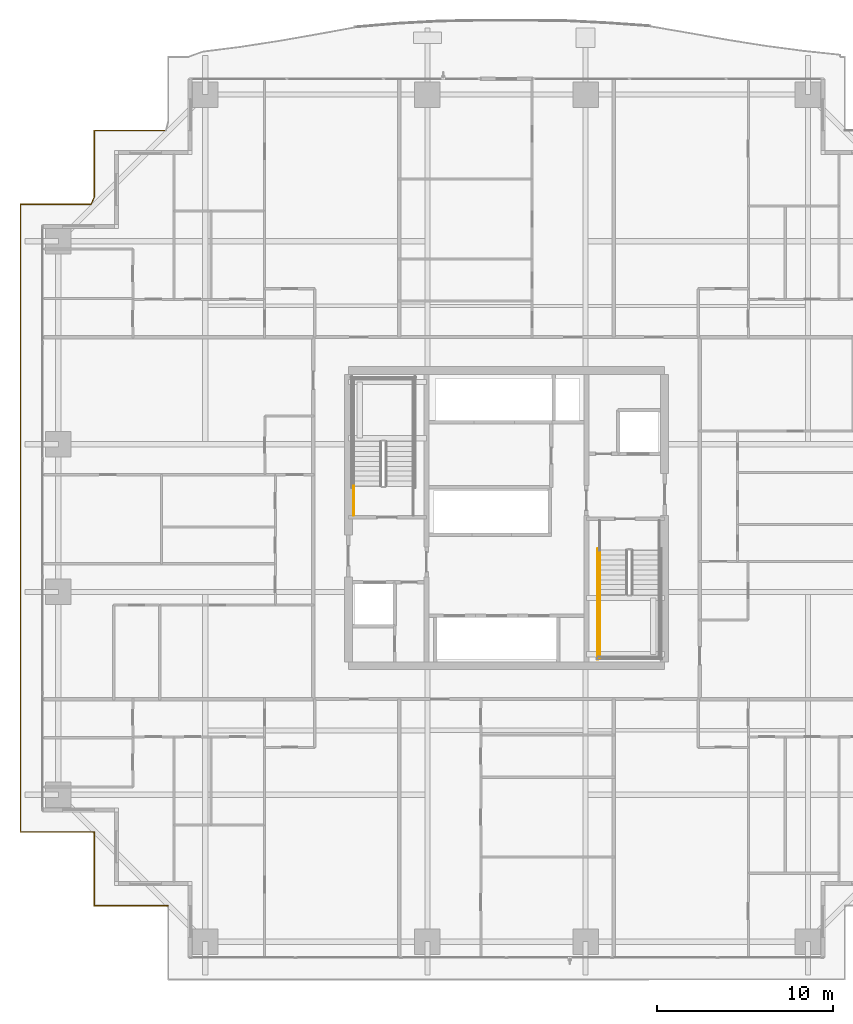
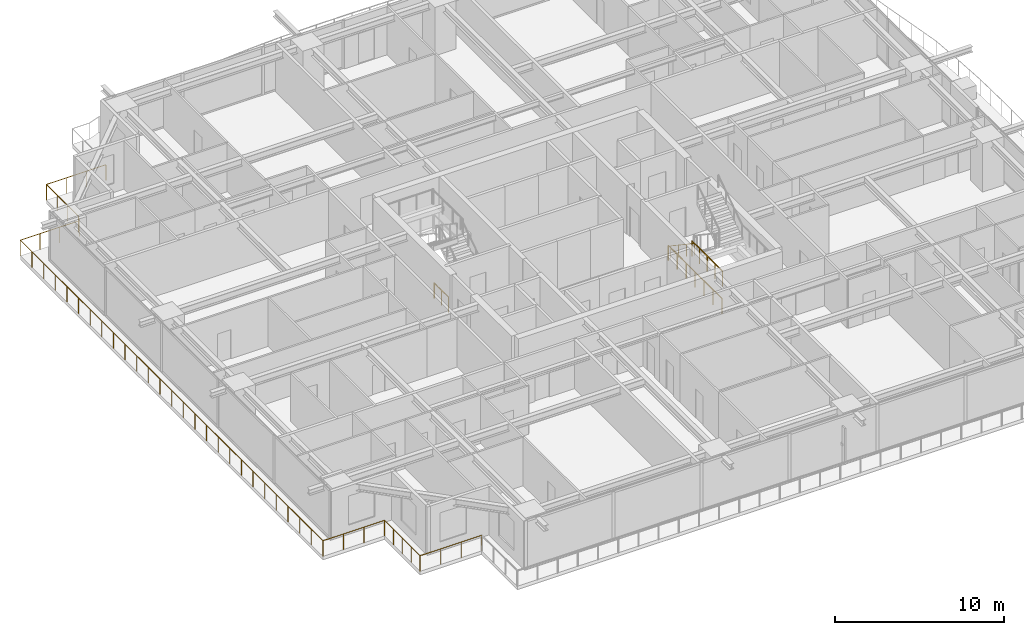
# One storey, part 34 of 38: 5 railings.
"""IFC4 building model written with IfcOpenShell, lengths in metres."""

from ifc_helpers import new_model, si_unit, direction, frame, origin, origin_2d, place, context, subcontext, project, spatial, circle, extrude, material, type_object, element, save


model = new_model("IFC4")

# Units and contexts
model_context = context("Model", 3, precision=1e-05, world=origin(), true_north=direction((0.0, 1.0)))
body_context = subcontext(model_context, "Body", "Model", "MODEL_VIEW")
ifc_project = project(units=[si_unit("LENGTHUNIT", "METRE"), si_unit("AREAUNIT", "SQUARE_METRE"), si_unit("VOLUMEUNIT", "CUBIC_METRE"), si_unit("PLANEANGLEUNIT", "RADIAN"), si_unit("MASSUNIT", "GRAM", prefix="KILO")], contexts=[model_context])

# Site, building, storey
site_placement = place(None, origin())
site = spatial("IfcSite", under=ifc_project, at=site_placement, CompositionType="ELEMENT")
building_placement = place(site_placement, origin())
building = spatial("IfcBuilding", under=site, at=building_placement, Name="Serunith Strait Residences", CompositionType="ELEMENT")
storey_placement = place(building_placement, frame((0.0, 0.0, 30.449951171875)))
storey = spatial("IfcBuildingStorey", under=building, at=storey_placement, Name="L06", CompositionType="ELEMENT", Elevation=30.449951171875)

# Railings
ifc_material_1 = material(Name="Stainless Steel & Laminated Glass Balustrade", Category="steel")
railing_type_1 = type_object("IfcRailingType", Name="RLG-BALC-1150", PredefinedType="BALUSTRADE", material=ifc_material_1)
railing_1_placement = place(storey_placement, frame((13.139892578125, 3.139892578125, -0.050048828125)))
element("IfcRailing", 1, at=railing_1_placement, inside=storey, type_object=railing_type_1, Name="L06 Swirling Balcony Perimeter Balustrade 8", PredefinedType="BALUSTRADE", context=body_context, shape_type="SweptSolid", body=[
    extrude(circle(Radius=0.02392578125, at=origin_2d()), frame((-0.001953125, 0.0, 1.1259765625), z_axis=(-1.0, 0.0, 0.0), x_axis=(0.0, -1.0, 0.0)), (0.0, 0.0, 1.0), 4.196044921875),
    extrude(circle(Radius=0.02392578125, at=origin_2d()), frame((-4.199951171875, 0.001953125, 1.1259765625), z_axis=(0.0, 1.0, 0.0), x_axis=(-1.0, 0.0, 0.0)), (0.0, 0.0, 1.0), 4.1962890625),
    extrude(circle(Radius=0.02392578125, at=origin_2d()), frame((-4.201904296875, 4.2001953125, 1.1259765625), z_axis=(-1.0, 0.0, 0.0), x_axis=(0.0, -1.0, 0.0)), (0.0, 0.0, 1.0), 4.196044921875),
    extrude(circle(Radius=0.02392578125, at=origin_2d()), frame((-8.39990234375, 4.2021484375, 1.1259765625), z_axis=(0.0, 1.0, 0.0), x_axis=(-1.0, 0.0, 0.0)), (0.0, 0.0, 1.0), 35.716064453125),
    extrude(circle(Radius=0.02392578125, at=origin_2d()), frame((-8.39794921875, 39.920166015625, 1.1259765625), z_axis=(1.0, 0.0, 0.0), x_axis=(0.0, 1.0, 0.0)), (0.0, 0.0, 1.0), 4.014892578125),
    extrude(circle(Radius=0.02392578125, at=origin_2d()), frame((-4.38037109375, 39.921875, 1.1259765625), z_axis=(0.414518347731, 0.91004095479, 0.0), x_axis=(-0.91004095479, 0.414518347731, 0.0)), (0.0, 0.0, 1.0), 0.43310546875),
    extrude(circle(Radius=0.02392578125, at=origin_2d()), frame((-4.199951171875, 40.31982421875, 1.1259765625), z_axis=(0.0, 1.0, 0.0), x_axis=(-1.0, 0.0, 0.0)), (0.0, 0.0, 1.0), 3.79833984375),
    extrude(circle(Radius=0.02392578125, at=origin_2d()), frame((-4.197998046875, 44.1201171875, 1.1259765625), z_axis=(1.0, 0.0, 0.0), x_axis=(0.0, 1.0, 0.0)), (0.0, 0.0, 1.0), 4.0595703125),
    extrude(circle(Radius=0.02099609375, at=origin_2d()), origin(), (0.0, 0.0, 1.0), 1.099853515625),
    extrude(circle(Radius=0.02099609375, at=origin_2d()), frame((-1.39990234375, 0.0, 0.0)), (0.0, 0.0, 1.0), 1.099853515625),
    extrude(circle(Radius=0.02099609375, at=origin_2d()), frame((-2.800048828125, 0.0, 0.0)), (0.0, 0.0, 1.0), 1.099853515625),
    extrude(circle(Radius=0.02099609375, at=origin_2d()), frame((-4.199951171875, 0.0, 0.0)), (0.0, 0.0, 1.0), 1.099853515625),
    extrude(circle(Radius=0.02099609375, at=origin_2d()), frame((-4.199951171875, 1.050048828125, 0.0)), (0.0, 0.0, 1.0), 1.099853515625),
    extrude(circle(Radius=0.02099609375, at=origin_2d()), frame((-4.199951171875, 2.10009765625, 0.0)), (0.0, 0.0, 1.0), 1.099853515625),
    extrude(circle(Radius=0.02099609375, at=origin_2d()), frame((-4.199951171875, 3.150146484375, 0.0)), (0.0, 0.0, 1.0), 1.099853515625),
    extrude(circle(Radius=0.02099609375, at=origin_2d()), frame((-4.199951171875, 4.2001953125, 0.0)), (0.0, 0.0, 1.0), 1.099853515625),
    extrude(circle(Radius=0.02099609375, at=origin_2d()), frame((-5.599853515625, 4.2001953125, 0.0)), (0.0, 0.0, 1.0), 1.099853515625),
    extrude(circle(Radius=0.02099609375, at=origin_2d()), frame((-7.0, 4.2001953125, 0.0)), (0.0, 0.0, 1.0), 1.099853515625),
    extrude(circle(Radius=0.02099609375, at=origin_2d()), frame((-8.39990234375, 4.2001953125, 0.0)), (0.0, 0.0, 1.0), 1.099853515625),
    extrude(circle(Radius=0.02099609375, at=origin_2d()), frame((-8.39990234375, 5.573974609375, 0.0)), (0.0, 0.0, 1.0), 1.099853515625),
    extrude(circle(Radius=0.02099609375, at=origin_2d()), frame((-8.39990234375, 6.947998046875, 0.0)), (0.0, 0.0, 1.0), 1.099853515625),
    extrude(circle(Radius=0.02099609375, at=origin_2d()), frame((-8.39990234375, 8.32177734375, 0.0)), (0.0, 0.0, 1.0), 1.099853515625),
    extrude(circle(Radius=0.02099609375, at=origin_2d()), frame((-8.39990234375, 9.695556640625, 0.0)), (0.0, 0.0, 1.0), 1.099853515625),
    extrude(circle(Radius=0.02099609375, at=origin_2d()), frame((-8.39990234375, 11.0693359375, 0.0)), (0.0, 0.0, 1.0), 1.099853515625),
    extrude(circle(Radius=0.02099609375, at=origin_2d()), frame((-8.39990234375, 12.443359375, 0.0)), (0.0, 0.0, 1.0), 1.099853515625),
    extrude(circle(Radius=0.02099609375, at=origin_2d()), frame((-8.39990234375, 13.817138671875, 0.0)), (0.0, 0.0, 1.0), 1.099853515625),
    extrude(circle(Radius=0.02099609375, at=origin_2d()), frame((-8.39990234375, 15.19091796875, 0.0)), (0.0, 0.0, 1.0), 1.099853515625),
    extrude(circle(Radius=0.02099609375, at=origin_2d()), frame((-8.39990234375, 16.564697265625, 0.0)), (0.0, 0.0, 1.0), 1.099853515625),
    extrude(circle(Radius=0.02099609375, at=origin_2d()), frame((-8.39990234375, 17.938720703125, 0.0)), (0.0, 0.0, 1.0), 1.099853515625),
    extrude(circle(Radius=0.02099609375, at=origin_2d()), frame((-8.39990234375, 19.3125, 0.0)), (0.0, 0.0, 1.0), 1.099853515625),
    extrude(circle(Radius=0.02099609375, at=origin_2d()), frame((-8.39990234375, 20.686279296875, 0.0)), (0.0, 0.0, 1.0), 1.099853515625),
    extrude(circle(Radius=0.02099609375, at=origin_2d()), frame((-8.39990234375, 22.06005859375, 0.0)), (0.0, 0.0, 1.0), 1.099853515625),
    extrude(circle(Radius=0.02099609375, at=origin_2d()), frame((-8.39990234375, 23.43408203125, 0.0)), (0.0, 0.0, 1.0), 1.099853515625),
    extrude(circle(Radius=0.02099609375, at=origin_2d()), frame((-8.39990234375, 24.807861328125, 0.0)), (0.0, 0.0, 1.0), 1.099853515625),
    extrude(circle(Radius=0.02099609375, at=origin_2d()), frame((-8.39990234375, 26.181640625, 0.0)), (0.0, 0.0, 1.0), 1.099853515625),
    extrude(circle(Radius=0.02099609375, at=origin_2d()), frame((-8.39990234375, 27.5556640625, 0.0)), (0.0, 0.0, 1.0), 1.099853515625),
    extrude(circle(Radius=0.02099609375, at=origin_2d()), frame((-8.39990234375, 28.929443359375, 0.0)), (0.0, 0.0, 1.0), 1.099853515625),
    extrude(circle(Radius=0.02099609375, at=origin_2d()), frame((-8.39990234375, 30.30322265625, 0.0)), (0.0, 0.0, 1.0), 1.099853515625),
    extrude(circle(Radius=0.02099609375, at=origin_2d()), frame((-8.39990234375, 31.677001953125, 0.0)), (0.0, 0.0, 1.0), 1.099853515625),
    extrude(circle(Radius=0.02099609375, at=origin_2d()), frame((-8.39990234375, 33.051025390625, 0.0)), (0.0, 0.0, 1.0), 1.099853515625),
    extrude(circle(Radius=0.02099609375, at=origin_2d()), frame((-8.39990234375, 34.4248046875, 0.0)), (0.0, 0.0, 1.0), 1.099853515625),
    extrude(circle(Radius=0.02099609375, at=origin_2d()), frame((-8.39990234375, 35.798583984375, 0.0)), (0.0, 0.0, 1.0), 1.099853515625),
    extrude(circle(Radius=0.02099609375, at=origin_2d()), frame((-8.39990234375, 37.17236328125, 0.0)), (0.0, 0.0, 1.0), 1.099853515625),
    extrude(circle(Radius=0.02099609375, at=origin_2d()), frame((-8.39990234375, 38.54638671875, 0.0)), (0.0, 0.0, 1.0), 1.099853515625),
    extrude(circle(Radius=0.02099609375, at=origin_2d()), frame((-8.39990234375, 39.920166015625, 0.0)), (0.0, 0.0, 1.0), 1.099853515625),
    extrude(circle(Radius=0.02099609375, at=origin_2d()), frame((-7.060302734375, 39.920166015625, 0.0)), (0.0, 0.0, 1.0), 1.099853515625),
    extrude(circle(Radius=0.02099609375, at=origin_2d()), frame((-5.720703125, 39.920166015625, 0.0)), (0.0, 0.0, 1.0), 1.099853515625),
    extrude(circle(Radius=0.02099609375, at=origin_2d()), frame((-4.381103515625, 39.920166015625, 0.0)), (0.0, 0.0, 1.0), 1.099853515625),
    extrude(circle(Radius=0.02099609375, at=origin_2d()), frame((-4.199951171875, 40.31787109375, 0.0)), (0.0, 0.0, 1.0), 1.099853515625),
    extrude(circle(Radius=0.02099609375, at=origin_2d()), frame((-4.199951171875, 41.585205078125, 0.0)), (0.0, 0.0, 1.0), 1.099853515625),
    extrude(circle(Radius=0.02099609375, at=origin_2d()), frame((-4.199951171875, 42.852783203125, 0.0)), (0.0, 0.0, 1.0), 1.099853515625),
    extrude(circle(Radius=0.02099609375, at=origin_2d()), frame((-4.199951171875, 44.1201171875, 0.0)), (0.0, 0.0, 1.0), 1.099853515625),
    extrude(circle(Radius=0.02099609375, at=origin_2d()), frame((-2.845458984375, 44.1201171875, 0.0)), (0.0, 0.0, 1.0), 1.099853515625),
    extrude(circle(Radius=0.02099609375, at=origin_2d()), frame((-1.490966796875, 44.1201171875, 0.0)), (0.0, 0.0, 1.0), 1.099853515625),
    extrude(circle(Radius=0.02099609375, at=origin_2d()), frame((-0.136474609375, 44.1201171875, 0.0)), (0.0, 0.0, 1.0), 1.099853515625),
])
ifc_material_2 = material(Name="Brushed stainless steel 316L", Category="steel")
railing_type_2 = type_object("IfcRailingType", Name="RLG-STAIR-GUARD", PredefinedType="BALUSTRADE", material=ifc_material_2)
railing_2_placement = place(storey_placement, frame((23.699951171875, 25.35009765625, 0.0)))
element("IfcRailing", 2, at=railing_2_placement, inside=storey, type_object=railing_type_2, Name="L06 ST-1 stair guard 9", PredefinedType="BALUSTRADE", context=body_context, shape_type="SweptSolid", body=[
    extrude(circle(Radius=0.02392578125, at=origin_2d()), frame((0.0, 0.001953125, 1.076171875), z_axis=(0.0, 1.0, 0.0), x_axis=(-1.0, 0.0, 0.0)), (0.0, 0.0, 1.0), 1.676025390625),
    extrude(circle(Radius=0.02099609375, at=origin_2d()), origin(), (0.0, 0.0, 1.0), 1.050048828125),
    extrude(circle(Radius=0.02099609375, at=origin_2d()), frame((0.0, 0.83984375, 0.0)), (0.0, 0.0, 1.0), 1.050048828125),
    extrude(circle(Radius=0.02099609375, at=origin_2d()), frame((0.0, 1.679931640625, 0.0)), (0.0, 0.0, 1.0), 1.050048828125),
])
railing_3_placement = place(storey_placement, frame((37.699951171875, 20.85009765625, 1.875)))
element("IfcRailing", 3, at=railing_3_placement, inside=storey, type_object=railing_type_2, Name="L06 ST-2 stair guard 3", PredefinedType="BALUSTRADE", context=body_context, shape_type="SweptSolid", body=[
    extrude(circle(Radius=0.02392578125, at=origin_2d()), frame((0.0, -0.001953125, 1.076171875), z_axis=(0.0, -1.0, 0.0), x_axis=(1.0, 0.0, 0.0)), (0.0, 0.0, 1.0), 3.59619140625),
    extrude(circle(Radius=0.02099609375, at=origin_2d()), origin(), (0.0, 0.0, 1.0), 1.050048828125),
    extrude(circle(Radius=0.02099609375, at=origin_2d()), frame((0.0, -0.89990234375, 0.0)), (0.0, 0.0, 1.0), 1.050048828125),
    extrude(circle(Radius=0.02099609375, at=origin_2d()), frame((0.0, -1.800048828125, 0.0)), (0.0, 0.0, 1.0), 1.050048828125),
    extrude(circle(Radius=0.02099609375, at=origin_2d()), frame((0.0, -2.7001953125, 0.0)), (0.0, 0.0, 1.0), 1.050048828125),
    extrude(circle(Radius=0.02099609375, at=origin_2d()), frame((0.0, -3.60009765625, 0.0)), (0.0, 0.0, 1.0), 1.050048828125),
])
railing_4_placement = place(storey_placement, frame((37.60009765625, 23.469970703125, 0.0)))
element("IfcRailing", 4, at=railing_4_placement, inside=storey, type_object=railing_type_2, Name="L06 ST-2 stair guard 10", PredefinedType="BALUSTRADE", context=body_context, shape_type="SweptSolid", body=[
    extrude(circle(Radius=0.02392578125, at=origin_2d()), frame((0.0, -0.001953125, 1.076171875), z_axis=(0.0, -1.0, 0.0), x_axis=(1.0, 0.0, 0.0)), (0.0, 0.0, 1.0), 6.316162109375),
    extrude(circle(Radius=0.02099609375, at=origin_2d()), origin(), (0.0, 0.0, 1.0), 1.050048828125),
    extrude(circle(Radius=0.02099609375, at=origin_2d()), frame((0.0, -1.05322265625, 0.0)), (0.0, 0.0, 1.0), 1.050048828125),
    extrude(circle(Radius=0.02099609375, at=origin_2d()), frame((0.0, -2.106689453125, 0.0)), (0.0, 0.0, 1.0), 1.050048828125),
    extrude(circle(Radius=0.02099609375, at=origin_2d()), frame((0.0, -3.16015625, 0.0)), (0.0, 0.0, 1.0), 1.050048828125),
    extrude(circle(Radius=0.02099609375, at=origin_2d()), frame((0.0, -4.21337890625, 0.0)), (0.0, 0.0, 1.0), 1.050048828125),
    extrude(circle(Radius=0.02099609375, at=origin_2d()), frame((0.0, -5.2666015625, 0.0)), (0.0, 0.0, 1.0), 1.050048828125),
    extrude(circle(Radius=0.02099609375, at=origin_2d()), frame((0.0, -6.320068359375, 0.0)), (0.0, 0.0, 1.0), 1.050048828125),
])
railing_type_3 = type_object("IfcRailingType", Name="RLG-STAIR-HR", PredefinedType="HANDRAIL", material=ifc_material_2)
railing_5_placement = place(storey_placement, frame((37.699951171875, 23.3701171875, 0.1875)))
element("IfcRailing", 5, at=railing_5_placement, inside=storey, type_object=railing_type_3, Name="L06 ST-2 stair handrail 1", PredefinedType="HANDRAIL", context=body_context, shape_type="SweptSolid", body=[
    extrude(circle(Radius=0.02392578125, at=origin_2d()), frame((0.0, -0.001708984375, 0.876953125), z_axis=(0.0, -0.830208209119, 0.557453432594), x_axis=(1.0, 0.0, 0.0)), (0.0, 0.0, 1.0), 3.36865234375),
    extrude(circle(Radius=0.02099609375, at=origin_2d()), origin(), (0.0, 0.0, 1.0), 0.849853515625),
    extrude(circle(Radius=0.02099609375, at=origin_2d()), frame((0.0, -0.933349609375, 0.626708984375)), (0.0, 0.0, 1.0), 0.849853515625),
    extrude(circle(Radius=0.02099609375, at=origin_2d()), frame((0.0, -1.86669921875, 1.25341796875)), (0.0, 0.0, 1.0), 0.849853515625),
    extrude(circle(Radius=0.02099609375, at=origin_2d()), frame((0.0, -2.800048828125, 1.880126953125)), (0.0, 0.0, 1.0), 0.849853515625),
])

save(model, "model.ifc")
